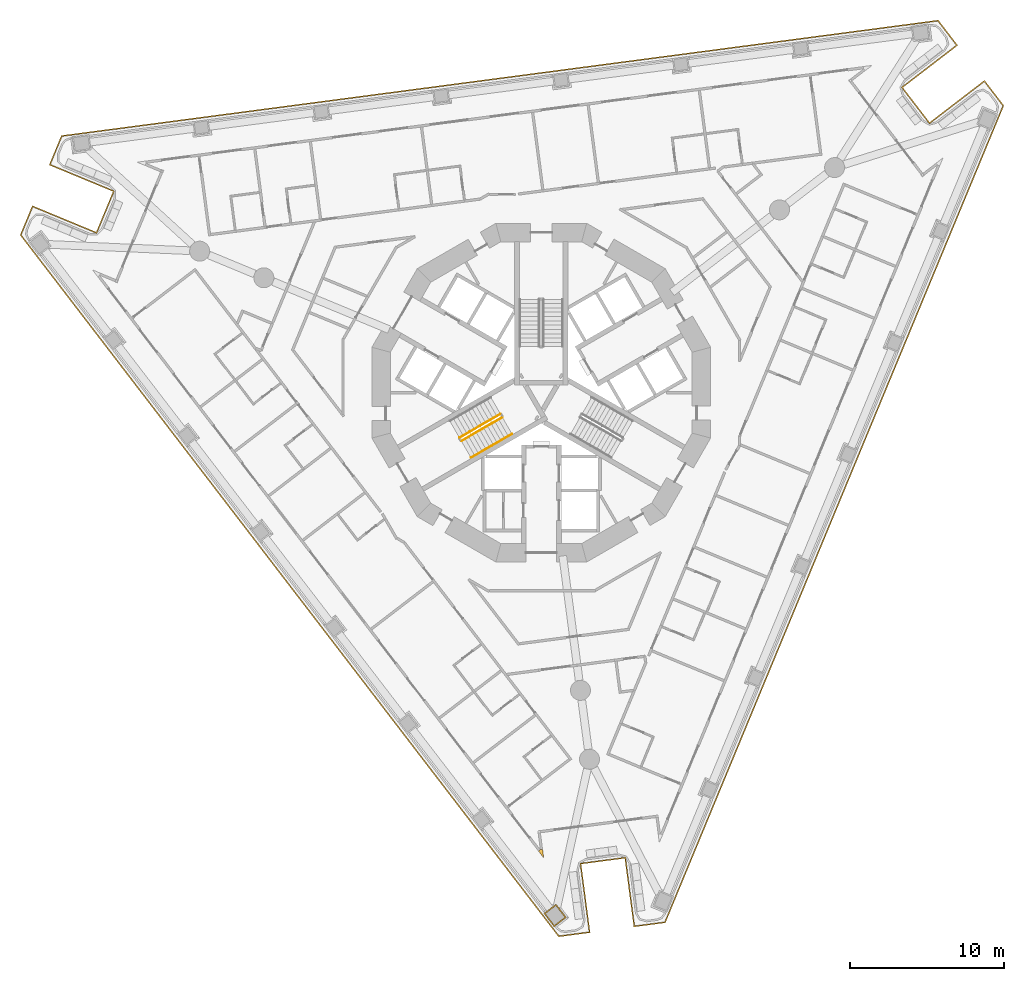
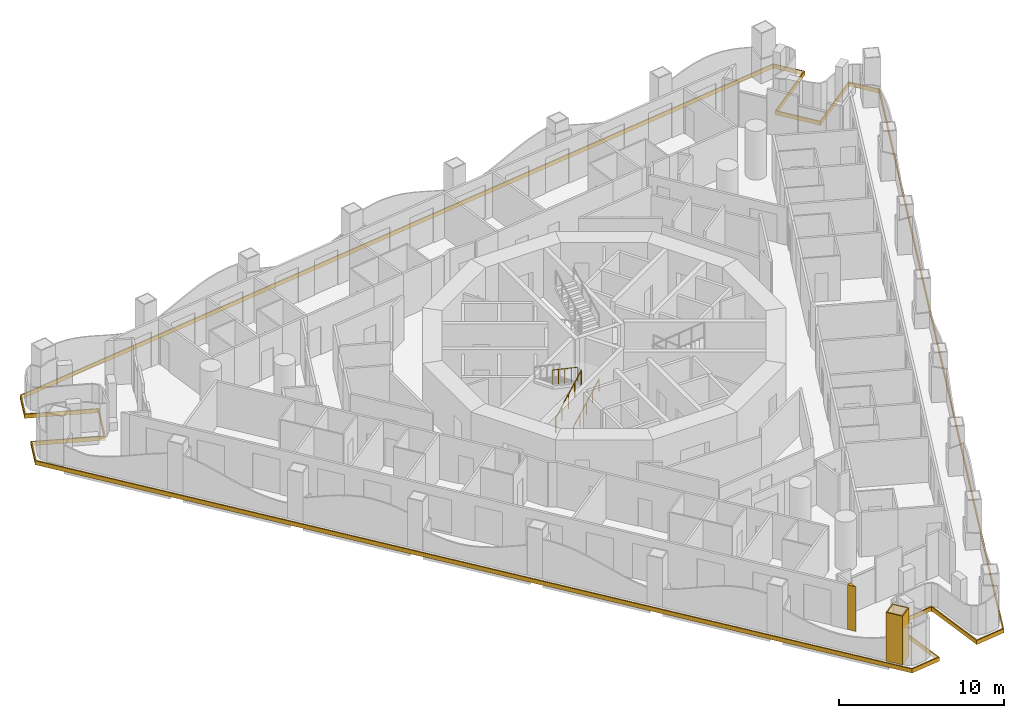
# One storey, part 13 of 19: 4 railings, 3 coverings.
"""IFC4 building model written with IfcOpenShell, lengths in metres."""

from ifc_helpers import new_model, si_unit, direction, frame, origin, origin_2d, place, context, subcontext, project, spatial, polyline, circle, outline, extrude, material, layer, layer_set, type_object, element, save


model = new_model("IFC4")

# Units and contexts
model_context = context("Model", 3, precision=1e-05, world=origin(), true_north=direction((0.0, 1.0)))
body_context = subcontext(model_context, "Body", "Model", "MODEL_VIEW")
ifc_project = project(units=[si_unit("LENGTHUNIT", "METRE"), si_unit("AREAUNIT", "SQUARE_METRE"), si_unit("VOLUMEUNIT", "CUBIC_METRE"), si_unit("PLANEANGLEUNIT", "RADIAN"), si_unit("MASSUNIT", "GRAM", prefix="KILO")], contexts=[model_context])

# Site, building, storey
site_placement = place(None, origin())
site = spatial("IfcSite", under=ifc_project, at=site_placement, CompositionType="ELEMENT")
building_placement = place(site_placement, origin())
building = spatial("IfcBuilding", under=site, at=building_placement, Name="Trine Commons Tower", CompositionType="ELEMENT")
storey_placement = place(building_placement, frame((0.0, 0.0, 64.800048828125)))
storey = spatial("IfcBuildingStorey", under=building, at=storey_placement, Name="L15", CompositionType="ELEMENT", Elevation=64.800048828125)

# Coverings
ifc_material_1 = material(Name="Aluminium-framed insulated wall panel", Category="aluminium")
ifc_layer_1 = layer(ifc_material_1, 0.14990234375)
ifc_layer_set_1 = layer_set([ifc_layer_1], Name="Aluminium-framed insulated wall panel")
covering_type_1 = type_object("IfcCoveringType", Name="Glazing corner post, aluminium", PredefinedType="CLADDING", material=ifc_layer_set_1)
covering_1_placement = place(storey_placement, origin())
element("IfcCovering", 1, at=covering_1_placement, inside=storey, type_object=covering_type_1, Name="Glazing corner post 2-12", PredefinedType="CLADDING", context=body_context, shape_type="SweptSolid", body=[
    extrude(outline(polyline([(79.818603515625, 32.697021484375), (80.159423828125, 32.2529296875), (80.086181640625, 32.80810546875), (79.9375, 32.788330078125), (79.818603515625, 32.697021484375)])), origin(), (0.0, 0.0, 1.0), 3.300048828125),
])
ifc_material_2 = material(Name="Limestone, honed", Category="masonry")
ifc_layer_2 = layer(ifc_material_2, 0.074951171875)
ifc_layer_set_2 = layer_set([ifc_layer_2], Name="Limestone, honed")
covering_type_2 = type_object("IfcCoveringType", Name="Limestone column cladding 75", PredefinedType="CLADDING", material=ifc_layer_set_2)
covering_2_placement = place(storey_placement, origin())
element("IfcCovering", 2, at=covering_2_placement, inside=storey, type_object=covering_type_2, Name="Limestone pier cladding 2-01", PredefinedType="CLADDING", context=body_context, shape_type="SweptSolid", body=[
    extrude(outline(polyline([(80.96142578125, 29.2529296875), (80.16796875, 28.644287109375), (80.837646484375, 27.771484375), (81.631103515625, 28.38037109375), (80.96142578125, 29.2529296875)]), holes=[polyline([(80.947509765625, 29.14794921875), (80.273193359375, 28.63037109375), (80.8515625, 27.876708984375), (81.52587890625, 28.394287109375), (80.947509765625, 29.14794921875)])]), origin(), (0.0, 0.0, 1.0), 3.599853515625),
])
ifc_layer_3 = layer(ifc_material_2, 0.074951171875)
ifc_layer_set_3 = layer_set([ifc_layer_3], Name="Limestone, honed")
covering_type_3 = type_object("IfcCoveringType", Name="Limestone spandrel panel 75", PredefinedType="CLADDING", material=ifc_layer_set_3)
covering_3_placement = place(storey_placement, frame((0.0, 0.0, -0.300048828125)))
element("IfcCovering", 3, at=covering_3_placement, inside=storey, type_object=covering_type_3, Name="Limestone spandrel panel 2-01", PredefinedType="CLADDING", context=body_context, shape_type="SweptSolid", body=[
    extrude(outline(polyline([(85.423583984375, 32.220458984375), (86.010986328125, 27.7587890625), (88.07568359375, 28.03076171875), (110.083740234375, 81.1630859375), (108.816162109375, 82.815185546875), (105.24609375, 80.07568359375), (103.510986328125, 82.3369140625), (107.081298828125, 85.076416015625), (105.8134765625, 86.728515625), (48.79541015625, 79.2216796875), (47.998291015625, 77.2978515625), (52.156005859375, 75.57568359375), (51.065185546875, 72.94287109375), (46.90771484375, 74.664794921875), (46.11083984375, 72.740966796875), (81.120849609375, 27.114990234375), (83.185302734375, 27.386962890625), (82.59814453125, 31.848388671875), (85.423583984375, 32.220458984375)]), holes=[polyline([(108.80224609375, 82.710205078125), (109.998046875, 81.15185546875), (88.02294921875, 28.099365234375), (86.07568359375, 27.843017578125), (85.48828125, 32.304443359375), (82.513916015625, 31.912841796875), (83.101318359375, 27.451416015625), (81.154052734375, 27.195068359375), (46.19677734375, 72.752197265625), (46.948486328125, 74.56689453125), (51.105712890625, 72.8447265625), (52.25390625, 75.616455078125), (48.096435546875, 77.33837890625), (48.847900390625, 79.153076171875), (105.780517578125, 86.6484375), (106.97607421875, 85.090087890625), (103.406005859375, 82.3505859375), (105.232177734375, 79.970703125), (108.80224609375, 82.710205078125)])]), origin(), (0.0, 0.0, 1.0), 0.300048828125),
])

# Railings
ifc_material_3 = material(Name="Stainless steel balustrade", Category="steel")
railing_type_1 = type_object("IfcRailingType", Name="Stair guard, steel balustrade 1100", PredefinedType="GUARDRAIL", material=ifc_material_3)
railing_1_placement = place(storey_placement, frame((74.80517578125, 59.3564453125, 0.14990234375)))
element("IfcRailing", 4, at=railing_1_placement, inside=storey, type_object=railing_type_1, Name="L15 ST2A stair guard 1", PredefinedType="GUARDRAIL", context=body_context, shape_type="SweptSolid", body=[
    extrude(circle(Radius=0.02392578125, at=origin_2d()), frame((0.0, 0.0, 1.076171875), z_axis=(0.763379768245, 0.440728498818, 0.472239049384), x_axis=(-0.499992328818, 0.866029832698, 0.0)), (0.0, 0.0, 1.0), 3.494384765625),
    extrude(circle(Radius=0.02099609375, at=origin_2d()), origin(), (0.0, 0.0, 1.0), 1.052001953125),
    extrude(circle(Radius=0.02099609375, at=origin_2d()), frame((0.6669921875, 0.385009765625, 0.41259765625)), (0.0, 0.0, 1.0), 1.052001953125),
    extrude(circle(Radius=0.02099609375, at=origin_2d()), frame((1.333740234375, 0.77001953125, 0.8251953125)), (0.0, 0.0, 1.0), 1.052001953125),
    extrude(circle(Radius=0.02099609375, at=origin_2d()), frame((2.00048828125, 1.155029296875, 1.237548828125)), (0.0, 0.0, 1.0), 1.052001953125),
    extrude(circle(Radius=0.02099609375, at=origin_2d()), frame((2.66748046875, 1.5400390625, 1.650146484375)), (0.0, 0.0, 1.0), 1.052001953125),
])
railing_2_placement = place(storey_placement, frame((77.34765625, 61.113037109375, 1.949951171875)))
element("IfcRailing", 5, at=railing_2_placement, inside=storey, type_object=railing_type_1, Name="L15 ST2A stair guard 3", PredefinedType="GUARDRAIL", context=body_context, shape_type="SweptSolid", body=[
    extrude(circle(Radius=0.02392578125, at=origin_2d()), frame((0.0, 0.0, 1.076171875), z_axis=(-0.76340495495, -0.440743040072, 0.472184759798), x_axis=(0.499992328818, -0.866029832698, 0.0)), (0.0, 0.0, 1.0), 3.494140625),
    extrude(circle(Radius=0.02099609375, at=origin_2d()), origin(), (0.0, 0.0, 1.0), 1.052001953125),
    extrude(circle(Radius=0.02099609375, at=origin_2d()), frame((-0.6669921875, -0.385009765625, 0.41259765625)), (0.0, 0.0, 1.0), 1.052001953125),
    extrude(circle(Radius=0.02099609375, at=origin_2d()), frame((-1.333740234375, -0.77001953125, 0.824951171875)), (0.0, 0.0, 1.0), 1.052001953125),
    extrude(circle(Radius=0.02099609375, at=origin_2d()), frame((-2.00048828125, -1.155029296875, 1.2373046875)), (0.0, 0.0, 1.0), 1.052001953125),
    extrude(circle(Radius=0.02099609375, at=origin_2d()), frame((-2.66748046875, -1.5400390625, 1.64990234375)), (0.0, 0.0, 1.0), 1.052001953125),
])
ifc_material_4 = material(Name="Stainless steel handrail", Category="steel")
railing_type_2 = type_object("IfcRailingType", Name="Stair handrail, steel 900", PredefinedType="HANDRAIL", material=ifc_material_4)
railing_3_placement = place(storey_placement, frame((75.43017578125, 58.27392578125, 0.14990234375)))
element("IfcRailing", 6, at=railing_3_placement, inside=storey, type_object=railing_type_2, Name="L15 ST2A stair handrail 1", PredefinedType="HANDRAIL", context=body_context, shape_type="SweptSolid", body=[
    extrude(circle(Radius=0.02099609375, at=origin_2d()), frame((0.0, 0.0, 0.87890625), z_axis=(0.76340495495, 0.440743040072, 0.472184759798), x_axis=(-0.499992328818, 0.866029832698, 0.0)), (0.0, 0.0, 1.0), 1.7470703125),
    extrude(circle(Radius=0.01513671875, at=origin_2d()), origin(), (0.0, 0.0, 1.0), 0.85791015625),
    extrude(circle(Radius=0.01513671875, at=origin_2d()), frame((0.6669921875, 0.385009765625, 0.41259765625)), (0.0, 0.0, 1.0), 0.85791015625),
    extrude(circle(Radius=0.01513671875, at=origin_2d()), frame((1.333740234375, 0.77001953125, 0.824951171875)), (0.0, 0.0, 1.0), 0.85791015625),
])
railing_4_placement = place(storey_placement, frame((76.763916015625, 59.0439453125, 0.974853515625)))
element("IfcRailing", 7, at=railing_4_placement, inside=storey, type_object=railing_type_2, Name="L15 ST2A stair handrail 2", PredefinedType="HANDRAIL", context=body_context, shape_type="SweptSolid", body=[
    extrude(circle(Radius=0.02099609375, at=origin_2d()), frame((0.0, 0.0, 0.87890625), z_axis=(0.763354580307, 0.440713956853, 0.472293333596), x_axis=(-0.499992328818, 0.866029832698, 0.0)), (0.0, 0.0, 1.0), 1.747314453125),
    extrude(circle(Radius=0.01513671875, at=origin_2d()), origin(), (0.0, 0.0, 1.0), 0.85791015625),
    extrude(circle(Radius=0.01513671875, at=origin_2d()), frame((0.6669921875, 0.385009765625, 0.41259765625)), (0.0, 0.0, 1.0), 0.85791015625),
    extrude(circle(Radius=0.01513671875, at=origin_2d()), frame((1.333740234375, 0.77001953125, 0.8251953125)), (0.0, 0.0, 1.0), 0.85791015625),
])

save(model, "model.ifc")
